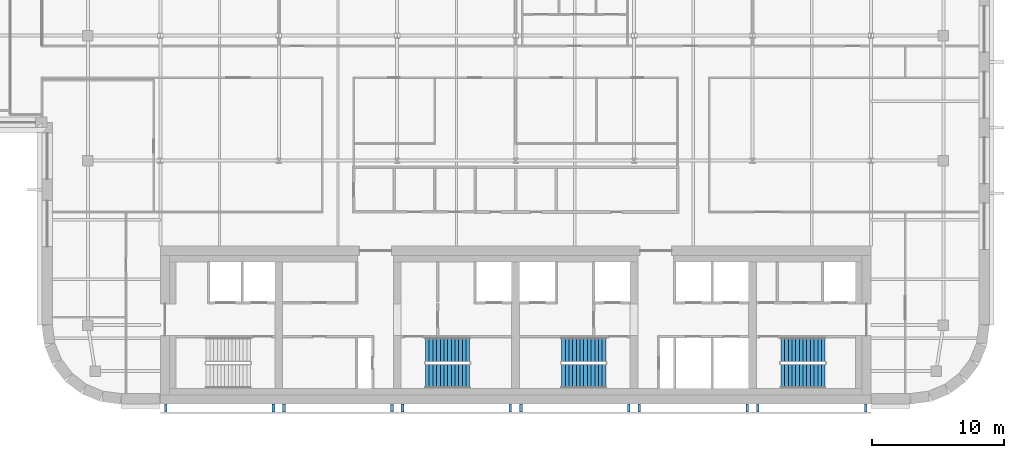
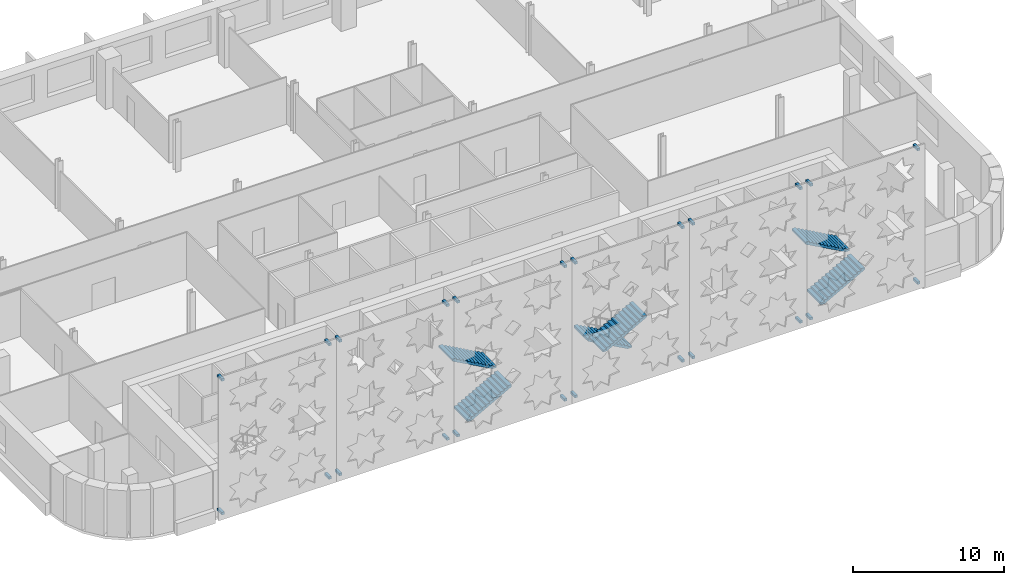
# One storey, part 12 of 17: 24 discrete accessories, 6 stair flights, 3 elements without a shape of their own.
"""IFC4 building model written with IfcOpenShell, lengths in metres."""

from ifc_helpers import new_model, si_unit, direction, frame, origin, origin_2d, place, context, subcontext, project, spatial, polyline, rectangle, outline, extrude, material, type_object, element, aggregate, save


model = new_model("IFC4")

# Units and contexts
model_context = context("Model", 3, precision=1e-05, world=origin(), true_north=direction((0.0, 1.0)))
body_context = subcontext(model_context, "Body", "Model", "MODEL_VIEW")
ifc_project = project(units=[si_unit("LENGTHUNIT", "METRE"), si_unit("AREAUNIT", "SQUARE_METRE"), si_unit("VOLUMEUNIT", "CUBIC_METRE"), si_unit("PLANEANGLEUNIT", "RADIAN"), si_unit("MASSUNIT", "GRAM", prefix="KILO")], contexts=[model_context])

# Site, building, storey
site_placement = place(None, origin())
site = spatial("IfcSite", under=ifc_project, at=site_placement, CompositionType="ELEMENT")
building_placement = place(site_placement, origin())
building = spatial("IfcBuilding", under=site, at=building_placement, Name="Zellij Exchange Tower", CompositionType="ELEMENT")
storey_placement = place(building_placement, frame((0.0, 0.0, 252.5)))
storey = spatial("IfcBuildingStorey", under=building, at=storey_placement, Name="L59", CompositionType="ELEMENT", Elevation=252.5)

# Stair, stair flights
ifc_material_1 = material(Name="Concrete C40/50", Category="concrete")
stair_type = type_object("IfcStairType", Name="CORE-ST exit stair 1850 wide", PredefinedType="HALF_TURN_STAIR", material=ifc_material_1)
stair_1_placement = place(storey_placement, origin())
stair_1 = element("IfcStair", 1, at=stair_1_placement, inside=storey, type_object=stair_type, Name="L59 exit stair ST2", PredefinedType="HALF_TURN_STAIR")
stair_flight_type = type_object("IfcStairFlightType", Name="CORE-SF flight 1850 riser 153.8 going 280", PredefinedType="STRAIGHT", material=ifc_material_1)
stair_flight_1_placement = place(storey_placement, frame((-6.85009765625, -11.875, 0.0), z_axis=(0.0, 0.0, 1.0), x_axis=(1.0, 0.0, 0.0)))
stair_flight_1 = element("IfcStairFlight", 2, at=stair_flight_1_placement, type_object=stair_flight_type, Name="ST2 flight 1", NumberOfRisers=13, NumberOfTreads=12, PredefinedType="STRAIGHT", RiserHeight=0.153846154, TreadLength=0.28, context=body_context, shape_type="SweptSolid", body=[
    extrude(outline(polyline([(0.0, 0.0), (0.0, 0.15380859375), (0.280029296875, 0.15380859375), (0.280029296875, 0.3076171875), (0.56005859375, 0.3076171875), (0.56005859375, 0.46142578125), (0.840087890625, 0.46142578125), (0.840087890625, 0.615478515625), (1.1201171875, 0.615478515625), (1.1201171875, 0.769287109375), (1.39990234375, 0.769287109375), (1.39990234375, 0.923095703125), (1.679931640625, 0.923095703125), (1.679931640625, 1.076904296875), (1.9599609375, 1.076904296875), (1.9599609375, 1.230712890625), (2.239990234375, 1.230712890625), (2.239990234375, 1.384521484375), (2.52001953125, 1.384521484375), (2.52001953125, 1.53857421875), (2.800048828125, 1.53857421875), (2.800048828125, 1.6923828125), (3.080078125, 1.6923828125), (3.080078125, 1.84619140625), (3.360107421875, 1.84619140625), (3.360107421875, 2.0), (3.360107421875, 1.675048828125), (0.311279296875, 0.0), (0.0, 0.0)])), frame((0.0, 0.925048828125, 0.0), z_axis=(0.0, -1.0, 0.0), x_axis=(1.0, 0.0, 0.0)), (0.0, 0.0, 1.0), 1.85009765625),
])
stair_flight_2_placement = place(storey_placement, frame((-3.489990234375, -9.875, 2.0), z_axis=(0.0, 0.0, 1.0), x_axis=(-1.0, 0.0, 0.0)))
stair_flight_2 = element("IfcStairFlight", 3, at=stair_flight_2_placement, type_object=stair_flight_type, Name="ST2 flight 2", NumberOfRisers=13, NumberOfTreads=12, PredefinedType="STRAIGHT", RiserHeight=0.153846154, TreadLength=0.28, context=body_context, shape_type="SweptSolid", body=[
    extrude(outline(polyline([(0.0, 0.0), (0.0, 0.15380859375), (0.280029296875, 0.15380859375), (0.280029296875, 0.3076171875), (0.56005859375, 0.3076171875), (0.56005859375, 0.46142578125), (0.840087890625, 0.46142578125), (0.840087890625, 0.615478515625), (1.1201171875, 0.615478515625), (1.1201171875, 0.769287109375), (1.39990234375, 0.769287109375), (1.39990234375, 0.923095703125), (1.679931640625, 0.923095703125), (1.679931640625, 1.076904296875), (1.9599609375, 1.076904296875), (1.9599609375, 1.230712890625), (2.239990234375, 1.230712890625), (2.239990234375, 1.384521484375), (2.52001953125, 1.384521484375), (2.52001953125, 1.53857421875), (2.800048828125, 1.53857421875), (2.800048828125, 1.6923828125), (3.080078125, 1.6923828125), (3.080078125, 1.84619140625), (3.360107421875, 1.84619140625), (3.360107421875, 2.0), (3.360107421875, 1.675048828125), (0.311279296875, 0.0), (0.0, 0.0)])), frame((0.0, 0.925048828125, 0.0), z_axis=(0.0, -1.0, 0.0), x_axis=(1.0, 0.0, 0.0)), (0.0, 0.0, 1.0), 1.85009765625),
])
aggregate(stair_1, [stair_flight_1, stair_flight_2])

stair_2_placement = place(storey_placement, origin())
stair_2 = element("IfcStair", 4, at=stair_2_placement, inside=storey, type_object=stair_type, Name="L59 exit stair ST3", PredefinedType="HALF_TURN_STAIR")
stair_flight_3_placement = place(storey_placement, frame((6.85009765625, -9.875, 0.0), z_axis=(0.0, 0.0, 1.0), x_axis=(-1.0, 0.0, 0.0)))
stair_flight_3 = element("IfcStairFlight", 5, at=stair_flight_3_placement, type_object=stair_flight_type, Name="ST3 flight 1", NumberOfRisers=13, NumberOfTreads=12, PredefinedType="STRAIGHT", RiserHeight=0.153846154, TreadLength=0.28, context=body_context, shape_type="SweptSolid", body=[
    extrude(outline(polyline([(0.0, 0.0), (0.0, 0.15380859375), (0.280029296875, 0.15380859375), (0.280029296875, 0.3076171875), (0.56005859375, 0.3076171875), (0.56005859375, 0.46142578125), (0.840087890625, 0.46142578125), (0.840087890625, 0.615478515625), (1.1201171875, 0.615478515625), (1.1201171875, 0.769287109375), (1.39990234375, 0.769287109375), (1.39990234375, 0.923095703125), (1.679931640625, 0.923095703125), (1.679931640625, 1.076904296875), (1.9599609375, 1.076904296875), (1.9599609375, 1.230712890625), (2.239990234375, 1.230712890625), (2.239990234375, 1.384521484375), (2.52001953125, 1.384521484375), (2.52001953125, 1.53857421875), (2.800048828125, 1.53857421875), (2.800048828125, 1.6923828125), (3.080078125, 1.6923828125), (3.080078125, 1.84619140625), (3.360107421875, 1.84619140625), (3.360107421875, 2.0), (3.360107421875, 1.675048828125), (0.311279296875, 0.0), (0.0, 0.0)])), frame((0.0, 0.925048828125, 0.0), z_axis=(0.0, -1.0, 0.0), x_axis=(1.0, 0.0, 0.0)), (0.0, 0.0, 1.0), 1.85009765625),
])
stair_flight_4_placement = place(storey_placement, frame((3.489990234375, -11.875, 2.0), z_axis=(0.0, 0.0, 1.0), x_axis=(1.0, 0.0, 0.0)))
stair_flight_4 = element("IfcStairFlight", 6, at=stair_flight_4_placement, type_object=stair_flight_type, Name="ST3 flight 2", NumberOfRisers=13, NumberOfTreads=12, PredefinedType="STRAIGHT", RiserHeight=0.153846154, TreadLength=0.28, context=body_context, shape_type="SweptSolid", body=[
    extrude(outline(polyline([(0.0, 0.0), (0.0, 0.15380859375), (0.280029296875, 0.15380859375), (0.280029296875, 0.3076171875), (0.56005859375, 0.3076171875), (0.56005859375, 0.46142578125), (0.840087890625, 0.46142578125), (0.840087890625, 0.615478515625), (1.1201171875, 0.615478515625), (1.1201171875, 0.769287109375), (1.39990234375, 0.769287109375), (1.39990234375, 0.923095703125), (1.679931640625, 0.923095703125), (1.679931640625, 1.076904296875), (1.9599609375, 1.076904296875), (1.9599609375, 1.230712890625), (2.239990234375, 1.230712890625), (2.239990234375, 1.384521484375), (2.52001953125, 1.384521484375), (2.52001953125, 1.53857421875), (2.800048828125, 1.53857421875), (2.800048828125, 1.6923828125), (3.080078125, 1.6923828125), (3.080078125, 1.84619140625), (3.360107421875, 1.84619140625), (3.360107421875, 2.0), (3.360107421875, 1.675048828125), (0.311279296875, 0.0), (0.0, 0.0)])), frame((0.0, 0.925048828125, 0.0), z_axis=(0.0, -1.0, 0.0), x_axis=(1.0, 0.0, 0.0)), (0.0, 0.0, 1.0), 1.85009765625),
])
aggregate(stair_2, [stair_flight_3, stair_flight_4])

stair_3_placement = place(storey_placement, origin())
stair_3 = element("IfcStair", 7, at=stair_3_placement, inside=storey, type_object=stair_type, Name="L59 exit stair ST4", PredefinedType="HALF_TURN_STAIR")
stair_flight_5_placement = place(storey_placement, frame((20.14990234375, -11.875, 0.0), z_axis=(0.0, 0.0, 1.0), x_axis=(1.0, 0.0, 0.0)))
stair_flight_5 = element("IfcStairFlight", 8, at=stair_flight_5_placement, type_object=stair_flight_type, Name="ST4 flight 1", NumberOfRisers=13, NumberOfTreads=12, PredefinedType="STRAIGHT", RiserHeight=0.153846154, TreadLength=0.28, context=body_context, shape_type="SweptSolid", body=[
    extrude(outline(polyline([(0.0, 0.0), (0.0, 0.15380859375), (0.280029296875, 0.15380859375), (0.280029296875, 0.3076171875), (0.56005859375, 0.3076171875), (0.56005859375, 0.46142578125), (0.840087890625, 0.46142578125), (0.840087890625, 0.615478515625), (1.1201171875, 0.615478515625), (1.1201171875, 0.769287109375), (1.39990234375, 0.769287109375), (1.39990234375, 0.923095703125), (1.679931640625, 0.923095703125), (1.679931640625, 1.076904296875), (1.9599609375, 1.076904296875), (1.9599609375, 1.230712890625), (2.239990234375, 1.230712890625), (2.239990234375, 1.384521484375), (2.52001953125, 1.384521484375), (2.52001953125, 1.53857421875), (2.800048828125, 1.53857421875), (2.800048828125, 1.6923828125), (3.080078125, 1.6923828125), (3.080078125, 1.84619140625), (3.360107421875, 1.84619140625), (3.360107421875, 2.0), (3.360107421875, 1.675048828125), (0.311279296875, 0.0), (0.0, 0.0)])), frame((0.0, 0.925048828125, 0.0), z_axis=(0.0, -1.0, 0.0), x_axis=(1.0, 0.0, 0.0)), (0.0, 0.0, 1.0), 1.85009765625),
])
stair_flight_6_placement = place(storey_placement, frame((23.510009765625, -9.875, 2.0), z_axis=(0.0, 0.0, 1.0), x_axis=(-1.0, 0.0, 0.0)))
stair_flight_6 = element("IfcStairFlight", 9, at=stair_flight_6_placement, type_object=stair_flight_type, Name="ST4 flight 2", NumberOfRisers=13, NumberOfTreads=12, PredefinedType="STRAIGHT", RiserHeight=0.153846154, TreadLength=0.28, context=body_context, shape_type="SweptSolid", body=[
    extrude(outline(polyline([(0.0, 0.0), (0.0, 0.15380859375), (0.280029296875, 0.15380859375), (0.280029296875, 0.3076171875), (0.56005859375, 0.3076171875), (0.56005859375, 0.46142578125), (0.840087890625, 0.46142578125), (0.840087890625, 0.615478515625), (1.1201171875, 0.615478515625), (1.1201171875, 0.769287109375), (1.39990234375, 0.769287109375), (1.39990234375, 0.923095703125), (1.679931640625, 0.923095703125), (1.679931640625, 1.076904296875), (1.9599609375, 1.076904296875), (1.9599609375, 1.230712890625), (2.239990234375, 1.230712890625), (2.239990234375, 1.384521484375), (2.52001953125, 1.384521484375), (2.52001953125, 1.53857421875), (2.800048828125, 1.53857421875), (2.800048828125, 1.6923828125), (3.080078125, 1.6923828125), (3.080078125, 1.84619140625), (3.360107421875, 1.84619140625), (3.360107421875, 2.0), (3.360107421875, 1.675048828125), (0.311279296875, 0.0), (0.0, 0.0)])), frame((0.0, 0.925048828125, 0.0), z_axis=(0.0, -1.0, 0.0), x_axis=(1.0, 0.0, 0.0)), (0.0, 0.0, 1.0), 1.85009765625),
])
aggregate(stair_3, [stair_flight_5, stair_flight_6])

# Discrete accessories
ifc_material_2 = material(Name="Stainless steel", Category="steel")
discrete_accessory_type = type_object("IfcDiscreteAccessoryType", Name="ENV-BR1 Stone panel bracket 200", PredefinedType="USERDEFINED", material=ifc_material_2)
for number, where, z_axis, x_axis, name in (
    (10, (-26.60009765625, -14.300048828125, 0.5), (0.0, 0.0, 1.0), (1.0, 0.0, 0.0), "Panel bracket"),
    (11, (-26.60009765625, -14.300048828125, 11.2998046875), (0.0, 0.0, 1.0), (1.0, 0.0, 0.0), "Panel bracket"),
    (12, (-18.39990234375, -14.300048828125, 0.5), (0.0, 0.0, 1.0), (1.0, 0.0, 0.0), "Panel bracket"),
    (13, (-18.39990234375, -14.300048828125, 11.2998046875), (0.0, 0.0, 1.0), (1.0, 0.0, 0.0), "Panel bracket"),
    (14, (-17.60009765625, -14.300048828125, 0.5), (0.0, 0.0, 1.0), (1.0, 0.0, 0.0), "Panel bracket"),
    (15, (-17.60009765625, -14.300048828125, 11.2998046875), (0.0, 0.0, 1.0), (1.0, 0.0, 0.0), "Panel bracket"),
    (16, (-9.39990234375, -14.300048828125, 0.5), (0.0, 0.0, 1.0), (1.0, 0.0, 0.0), "Panel bracket"),
    (17, (-9.39990234375, -14.300048828125, 11.2998046875), (0.0, 0.0, 1.0), (1.0, 0.0, 0.0), "Panel bracket"),
    (18, (-8.60009765625, -14.300048828125, 0.5), (0.0, 0.0, 1.0), (1.0, 0.0, 0.0), "Panel bracket"),
    (19, (-8.60009765625, -14.300048828125, 11.2998046875), (0.0, 0.0, 1.0), (1.0, 0.0, 0.0), "Panel bracket"),
    (20, (-0.39990234375, -14.300048828125, 0.5), (0.0, 0.0, 1.0), (1.0, 0.0, 0.0), "Panel bracket"),
    (21, (-0.39990234375, -14.300048828125, 11.2998046875), (0.0, 0.0, 1.0), (1.0, 0.0, 0.0), "Panel bracket"),
    (22, (0.39990234375, -14.300048828125, 0.5), (0.0, 0.0, 1.0), (1.0, 0.0, 0.0), "Panel bracket"),
    (23, (0.39990234375, -14.300048828125, 11.2998046875), (0.0, 0.0, 1.0), (1.0, 0.0, 0.0), "Panel bracket"),
    (24, (8.60009765625, -14.300048828125, 0.5), (0.0, 0.0, 1.0), (1.0, 0.0, 0.0), "Panel bracket"),
    (25, (8.60009765625, -14.300048828125, 11.2998046875), (0.0, 0.0, 1.0), (1.0, 0.0, 0.0), "Panel bracket"),
    (26, (9.39990234375, -14.300048828125, 0.5), (0.0, 0.0, 1.0), (1.0, 0.0, 0.0), "Panel bracket"),
    (27, (9.39990234375, -14.300048828125, 11.2998046875), (0.0, 0.0, 1.0), (1.0, 0.0, 0.0), "Panel bracket"),
    (28, (17.60009765625, -14.300048828125, 0.5), (0.0, 0.0, 1.0), (1.0, 0.0, 0.0), "Panel bracket"),
    (29, (17.60009765625, -14.300048828125, 11.2998046875), (0.0, 0.0, 1.0), (1.0, 0.0, 0.0), "Panel bracket"),
    (30, (18.39990234375, -14.300048828125, 0.5), (0.0, 0.0, 1.0), (1.0, 0.0, 0.0), "Panel bracket"),
    (31, (18.39990234375, -14.300048828125, 11.2998046875), (0.0, 0.0, 1.0), (1.0, 0.0, 0.0), "Panel bracket"),
    (32, (26.60009765625, -14.300048828125, 0.5), (0.0, 0.0, 1.0), (1.0, 0.0, 0.0), "Panel bracket"),
    (33, (26.60009765625, -14.300048828125, 11.2998046875), (0.0, 0.0, 1.0), (1.0, 0.0, 0.0), "Panel bracket"),
):
    element("IfcDiscreteAccessory", number, at=place(storey_placement, frame(where, z_axis=z_axis, x_axis=x_axis)), inside=storey, type_object=discrete_accessory_type, Name=name, ObjectType="BRACKET", PredefinedType="USERDEFINED", context=body_context, shape_type="SweptSolid", body=[
        extrude(rectangle(XDim=0.199951171875, YDim=0.60009765625, at=origin_2d()), origin(), (0.0, 0.0, 1.0), 0.199951171875),
    ])

save(model, "model.ifc")
